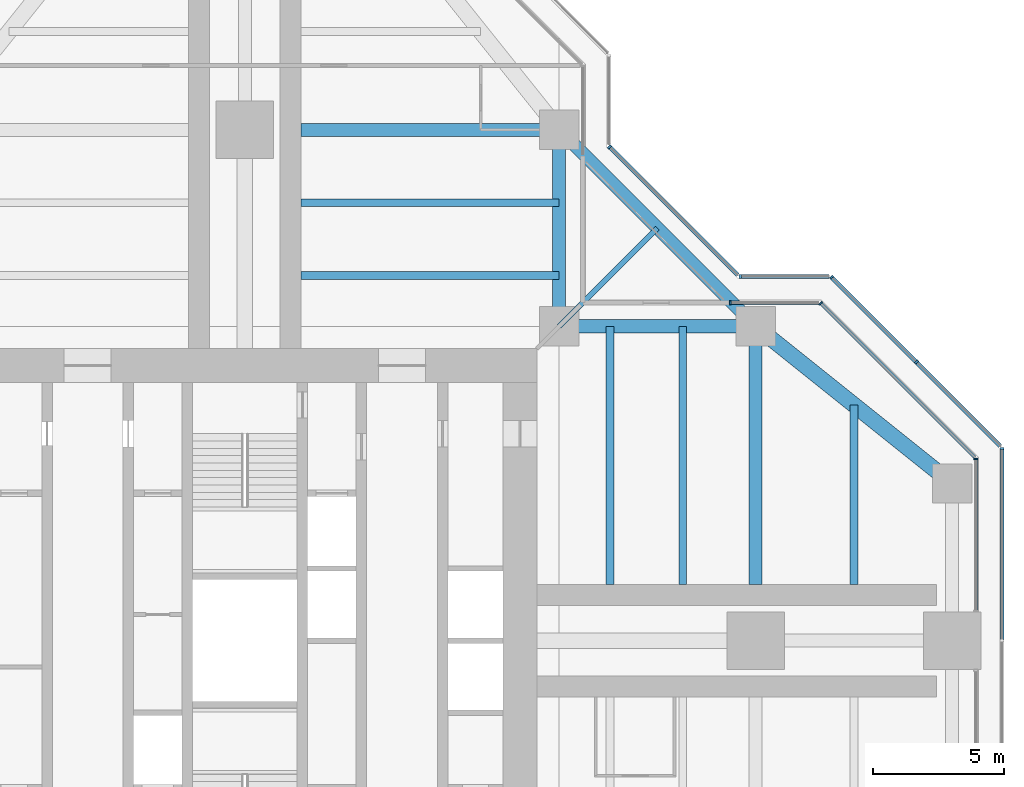
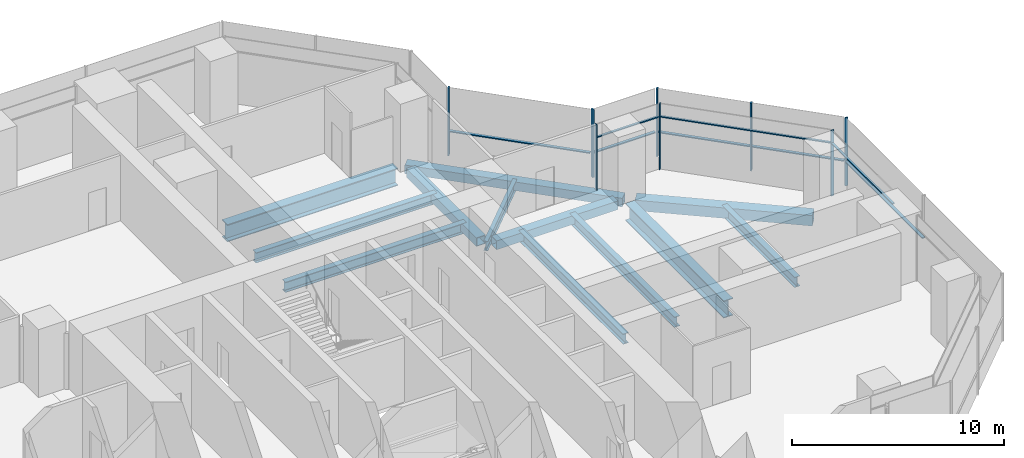
# One storey, part 8 of 17: 16 members, 12 beams, 7 elements without a shape of their own.
"""IFC4 building model written with IfcOpenShell, lengths in metres."""

from ifc_helpers import new_model, si_unit, direction, frame, origin, origin_2d, place, context, subcontext, project, spatial, rectangle, hollow_rectangle, i_section, extrude, material, material_profile, profile_set, type_object, element, aggregate, save


model = new_model("IFC4")

# Units and contexts
model_context = context("Model", 3, precision=1e-05, world=origin(), true_north=direction((0.0, 1.0)))
body_context = subcontext(model_context, "Body", "Model", "MODEL_VIEW")
ifc_project = project(units=[si_unit("LENGTHUNIT", "METRE"), si_unit("AREAUNIT", "SQUARE_METRE"), si_unit("VOLUMEUNIT", "CUBIC_METRE"), si_unit("PLANEANGLEUNIT", "RADIAN"), si_unit("MASSUNIT", "GRAM", prefix="KILO")], contexts=[model_context])

# Site, building, storey
site_placement = place(None, origin())
site = spatial("IfcSite", under=ifc_project, at=site_placement, CompositionType="ELEMENT")
building_placement = place(site_placement, origin())
building = spatial("IfcBuilding", under=site, at=building_placement, Name="Mizan Broadcast Tower", CompositionType="ELEMENT")
storey_placement = place(building_placement, frame((0.0, 0.0, 216.60009765625)))
storey = spatial("IfcBuildingStorey", under=building, at=storey_placement, Name="L50", CompositionType="ELEMENT", Elevation=216.60009765625)

# Beams
ifc_material_1 = material(Name="Steel S355", Category="steel")
ifc_material_profile_1 = material_profile(ifc_material_1, hollow_rectangle(XDim=0.5, YDim=0.5, WallThickness=0.030029296875, at=origin_2d()), Name="BOX 500x500x30")
ifc_profile_set_1 = profile_set([ifc_material_profile_1], Name="Steel S355")
beam_type_1 = type_object("IfcBeamType", Name="EDGE BEAM BOX 500x500x30", PredefinedType="SPANDREL", material=ifc_profile_set_1)
for number, where, z_axis, x_axis, name in (
    (1, (12.449951171875, 12.0, -0.380126953125), (1.0, 0.0, 0.0), (0.0, 1.0, 0.0), "Edge beam BOX 500x500x30 L50 east arm"),
    (2, (12.0, 12.449951171875, -0.380126953125), (0.0, 1.0, 0.0), (-1.0, 0.0, 0.0), "Edge beam BOX 500x500x30 L50 north arm"),
):
    element("IfcBeam", number, at=place(storey_placement, frame(where, z_axis=z_axis, x_axis=x_axis)), inside=storey, type_object=beam_type_1, Name=name, PredefinedType="SPANDREL", context=body_context, shape_type="SweptSolid", body=[
        extrude(hollow_rectangle(XDim=0.5, YDim=0.5, WallThickness=0.030029296875, at=origin_2d()), origin(), (0.0, 0.0, 1.0), 6.60009765625),
    ])
beam_1_placement = place(storey_placement, frame((19.5, 12.0, -0.380126953125), z_axis=(-0.707106781187, 0.707106781187, 0.0), x_axis=(-0.707106781187, -0.707106781187, 0.0)))
element("IfcBeam", 3, at=beam_1_placement, inside=storey, type_object=beam_type_1, Name="Winter garden edge beam L50 E", PredefinedType="SPANDREL", context=body_context, shape_type="SweptSolid", body=[
    extrude(hollow_rectangle(XDim=0.5, YDim=0.5, WallThickness=0.030029296875, at=origin_2d()), origin(), (0.0, 0.0, 1.0), 10.606689453125),
])
ifc_material_2 = material(Name="Steel S355", Category="steel")
ifc_material_profile_2 = material_profile(ifc_material_2, hollow_rectangle(XDim=0.60009765625, YDim=0.60009765625, WallThickness=0.030029296875, at=origin_2d()), Name="BOX 600x600x30")
ifc_profile_set_2 = profile_set([ifc_material_profile_2], Name="Steel S355")
beam_type_2 = type_object("IfcBeamType", Name="EDGE BEAM BOX 600x600x30", PredefinedType="SPANDREL", material=ifc_profile_set_2)
beam_2_placement = place(storey_placement, frame((19.949951171875, 11.639892578125, -0.43017578125), z_axis=(0.780885717636, -0.624673911726, 0.0), x_axis=(0.624673911726, 0.780885717636, 0.0)))
element("IfcBeam", 4, at=beam_2_placement, inside=storey, type_object=beam_type_2, Name="Edge beam BOX 600x600x30 L50 east arm", PredefinedType="SPANDREL", context=body_context, shape_type="SweptSolid", body=[
    extrude(hollow_rectangle(XDim=0.60009765625, YDim=0.60009765625, WallThickness=0.030029296875, at=origin_2d()), origin(), (0.0, 0.0, 1.0), 8.4521484375),
])
ifc_material_3 = material(Name="Steel S460", Category="steel")
ifc_material_profile_3 = material_profile(ifc_material_3, i_section(OverallWidth=0.5, OverallDepth=1.0, WebThickness=0.02490234375, FlangeThickness=0.050048828125, at=origin_2d()), Name="WPG 1000x500")
ifc_profile_set_3 = profile_set([ifc_material_profile_3], Name="Steel S460")
beam_type_3 = type_object("IfcBeamType", Name="GIRDER WPG 1000x500", PredefinedType="BEAM", material=ifc_profile_set_3)
for number, where, z_axis, x_axis, name in (
    (5, (19.5, 11.408935546875, -0.630126953125), (0.0, -1.0, 0.0), (1.0, 0.0, 0.0), "Girder WPG 1000x500 L50 east arm"),
    (6, (11.408935546875, 19.5, -0.630126953125), (-1.0, 0.0, 0.0), (0.0, -1.0, 0.0), "Girder WPG 1000x500 L50 north arm"),
):
    element("IfcBeam", number, at=place(storey_placement, frame(where, z_axis=z_axis, x_axis=x_axis)), inside=storey, type_object=beam_type_3, Name=name, PredefinedType="BEAM", context=body_context, shape_type="SweptSolid", body=[
        extrude(i_section(OverallWidth=0.5, OverallDepth=1.0, WebThickness=0.02490234375, FlangeThickness=0.050048828125, at=origin_2d()), origin(), (0.0, 0.0, 1.0), 9.259033203125),
    ])

# Curtain wall, member
ifc_material_4 = material(Name="Aluminium framed glazing", Category="aluminium")
curtain_wall_type_1 = type_object("IfcCurtainWallType", Name="INNER SKIN HIGH ZONE", PredefinedType="USERDEFINED", material=ifc_material_4)
curtain_wall_1_placement = place(storey_placement, origin())
curtain_wall_1 = element("IfcCurtainWall", 7, at=curtain_wall_1_placement, inside=storey, type_object=curtain_wall_type_1, Name="Inner skin high zone L50 E end", ObjectType="INNER SKIN HIGH ZONE", PredefinedType="USERDEFINED")
ifc_material_5 = material(Name="Aluminium, pale anodised", Category="aluminium")
ifc_material_profile_4 = material_profile(ifc_material_5, rectangle(XDim=0.159912109375, YDim=0.06005859375, at=origin_2d()), Name="MULLION 160x60")
ifc_profile_set_4 = profile_set([ifc_material_profile_4], Name="Aluminium, pale anodised")
member_type_1 = type_object("IfcMemberType", Name="INNER SKIN MULLION 60x160", PredefinedType="MULLION", material=ifc_profile_set_4)
member_1_placement = place(storey_placement, frame((27.89990234375, 6.928466796875, 0.0), z_axis=(0.0, 0.0, 1.0), x_axis=(-1.0, 0.0, 0.0)))
member_1 = element("IfcMember", 8, at=member_1_placement, type_object=member_type_1, Name="Inner skin high zone L50 E end mullion 2", PredefinedType="MULLION", context=body_context, shape_type="SweptSolid", body=[
    extrude(rectangle(XDim=0.159912109375, YDim=0.06005859375, at=origin_2d()), origin(), (0.0, 0.0, 1.0), 3.77001953125),
])

curtain_wall_2_placement = place(storey_placement, origin())
curtain_wall_2 = element("IfcCurtainWall", 9, at=curtain_wall_2_placement, inside=storey, type_object=curtain_wall_type_1, Name="Inner skin high zone L50 E chamfer", ObjectType="INNER SKIN HIGH ZONE", PredefinedType="USERDEFINED")
member_2_placement = place(storey_placement, frame((21.979736328125, 12.87890625, 0.0), z_axis=(0.0, 0.0, 1.0), x_axis=(-0.707106781187, -0.707106781187, 0.0)))
member_2 = element("IfcMember", 10, at=member_2_placement, type_object=member_type_1, Name="Inner skin high zone L50 E chamfer mullion 2", PredefinedType="MULLION", context=body_context, shape_type="SweptSolid", body=[
    extrude(rectangle(XDim=0.159912109375, YDim=0.06005859375, at=origin_2d()), origin(), (0.0, 0.0, 1.0), 3.77001953125),
])

curtain_wall_3_placement = place(storey_placement, origin())
curtain_wall_3 = element("IfcCurtainWall", 11, at=curtain_wall_3_placement, inside=storey, type_object=curtain_wall_type_1, Name="Inner skin high zone L50 E side", ObjectType="INNER SKIN HIGH ZONE", PredefinedType="USERDEFINED")
member_3_placement = place(storey_placement, frame((18.530029296875, 12.89990234375, 0.0), z_axis=(0.0, 0.0, 1.0), x_axis=(0.0, -1.0, 0.0)))
member_3 = element("IfcMember", 12, at=member_3_placement, type_object=member_type_1, Name="Inner skin high zone L50 E side mullion 2", PredefinedType="MULLION", context=body_context, shape_type="SweptSolid", body=[
    extrude(rectangle(XDim=0.159912109375, YDim=0.06005859375, at=origin_2d()), origin(), (0.0, 0.0, 1.0), 3.77001953125),
])

# Member
ifc_material_6 = material(Name="Aluminium, pale anodised", Category="aluminium")
ifc_material_profile_5 = material_profile(ifc_material_6, rectangle(XDim=0.1201171875, YDim=0.06005859375, at=origin_2d()), Name="TRANSOM 120x60")
ifc_profile_set_5 = profile_set([ifc_material_profile_5], Name="Aluminium, pale anodised")
member_type_2 = type_object("IfcMemberType", Name="INNER SKIN TRANSOM 60x120", PredefinedType="USERDEFINED", material=ifc_profile_set_5)
member_4_placement = place(storey_placement, frame((27.89990234375, 1.159912109375, 3.02978515625), z_axis=(0.0, 1.0, 0.0), x_axis=(-1.0, 0.0, 0.0)))
member_4 = element("IfcMember", 13, at=member_4_placement, type_object=member_type_2, Name="Inner skin high zone L50 E end transom 1.1", ObjectType="TRANSOM", PredefinedType="USERDEFINED", context=body_context, shape_type="SweptSolid", body=[
    extrude(rectangle(XDim=0.1201171875, YDim=0.06005859375, at=origin_2d()), origin(), (0.0, 0.0, 1.0), 5.73876953125),
])

aggregate(curtain_wall_1, [member_1, member_4])

member_5_placement = place(storey_placement, frame((27.857666015625, 7.0009765625, 3.02978515625), z_axis=(-0.707106781187, 0.707106781187, 0.0), x_axis=(-0.707106781187, -0.707106781187, 0.0)))
member_5 = element("IfcMember", 14, at=member_5_placement, type_object=member_type_2, Name="Inner skin high zone L50 E chamfer transom 1.1", ObjectType="TRANSOM", PredefinedType="USERDEFINED", context=body_context, shape_type="SweptSolid", body=[
    extrude(rectangle(XDim=0.1201171875, YDim=0.06005859375, at=origin_2d()), origin(), (0.0, 0.0, 1.0), 8.28271484375),
])

aggregate(curtain_wall_2, [member_2, member_5])

member_6_placement = place(storey_placement, frame((21.898681640625, 12.89990234375, 3.02978515625), z_axis=(-1.0, 0.0, 0.0), x_axis=(0.0, -1.0, 0.0)))
member_6 = element("IfcMember", 15, at=member_6_placement, type_object=member_type_2, Name="Inner skin high zone L50 E side transom 1.1", ObjectType="TRANSOM", PredefinedType="USERDEFINED", context=body_context, shape_type="SweptSolid", body=[
    extrude(rectangle(XDim=0.1201171875, YDim=0.06005859375, at=origin_2d()), origin(), (0.0, 0.0, 1.0), 3.338623046875),
])

aggregate(curtain_wall_3, [member_3, member_6])

# Curtain wall, member
ifc_material_7 = material(Name="Aluminium framed glazing", Category="aluminium")
curtain_wall_type_2 = type_object("IfcCurtainWallType", Name="OUTER SKIN", PredefinedType="USERDEFINED", material=ifc_material_7)
curtain_wall_4_placement = place(storey_placement, origin())
curtain_wall_4 = element("IfcCurtainWall", 16, at=curtain_wall_4_placement, inside=storey, type_object=curtain_wall_type_2, Name="Outer skin L50 E end", ObjectType="OUTER SKIN", PredefinedType="USERDEFINED")
ifc_material_8 = material(Name="Aluminium, pale anodised", Category="aluminium")
ifc_material_profile_6 = material_profile(ifc_material_8, rectangle(XDim=0.159912109375, YDim=0.080078125, at=origin_2d()), Name="MULLION 160x80")
ifc_profile_set_6 = profile_set([ifc_material_profile_6], Name="Aluminium, pale anodised")
member_type_3 = type_object("IfcMemberType", Name="OUTER SKIN MULLION 80x160", PredefinedType="MULLION", material=ifc_profile_set_6)
member_7_placement = place(storey_placement, frame((28.89990234375, 7.332763671875, 0.0), z_axis=(0.0, 0.0, 1.0), x_axis=(-1.0, 0.0, 0.0)))
member_7 = element("IfcMember", 17, at=member_7_placement, type_object=member_type_3, Name="Outer skin L50 E end mullion 3", PredefinedType="MULLION", context=body_context, shape_type="SweptSolid", body=[
    extrude(rectangle(XDim=0.159912109375, YDim=0.080078125, at=origin_2d()), origin(), (0.0, 0.0, 1.0), 3.89990234375),
])

# Curtain wall, members
curtain_wall_5_placement = place(storey_placement, origin())
curtain_wall_5 = element("IfcCurtainWall", 18, at=curtain_wall_5_placement, inside=storey, type_object=curtain_wall_type_2, Name="Outer skin L50 E chamfer", ObjectType="OUTER SKIN", PredefinedType="USERDEFINED")
member_8_placement = place(storey_placement, frame((25.636474609375, 10.636474609375, 0.0), z_axis=(0.0, 0.0, 1.0), x_axis=(-0.707106781187, -0.707106781187, 0.0)))
member_8 = element("IfcMember", 19, at=member_8_placement, type_object=member_type_3, Name="Outer skin L50 E chamfer mullion 2", PredefinedType="MULLION", context=body_context, shape_type="SweptSolid", body=[
    extrude(rectangle(XDim=0.159912109375, YDim=0.080078125, at=origin_2d()), origin(), (0.0, 0.0, 1.0), 3.89990234375),
])
member_9_placement = place(storey_placement, frame((22.401123046875, 13.871826171875, 0.0), z_axis=(0.0, 0.0, 1.0), x_axis=(-0.707106781187, -0.707106781187, 0.0)))
member_9 = element("IfcMember", 20, at=member_9_placement, type_object=member_type_3, Name="Outer skin L50 E chamfer mullion 3", PredefinedType="MULLION", context=body_context, shape_type="SweptSolid", body=[
    extrude(rectangle(XDim=0.159912109375, YDim=0.080078125, at=origin_2d()), origin(), (0.0, 0.0, 1.0), 3.89990234375),
])

# Curtain wall, member
curtain_wall_6_placement = place(storey_placement, origin())
curtain_wall_6 = element("IfcCurtainWall", 21, at=curtain_wall_6_placement, inside=storey, type_object=curtain_wall_type_2, Name="Outer skin L50 E side", ObjectType="OUTER SKIN", PredefinedType="USERDEFINED")
member_10_placement = place(storey_placement, frame((18.912841796875, 13.89990234375, 0.0), z_axis=(0.0, 0.0, 1.0), x_axis=(0.0, -1.0, 0.0)))
member_10 = element("IfcMember", 22, at=member_10_placement, type_object=member_type_3, Name="Outer skin L50 E side mullion 2", PredefinedType="MULLION", context=body_context, shape_type="SweptSolid", body=[
    extrude(rectangle(XDim=0.159912109375, YDim=0.080078125, at=origin_2d()), origin(), (0.0, 0.0, 1.0), 3.89990234375),
])

curtain_wall_7_placement = place(storey_placement, origin())
curtain_wall_7 = element("IfcCurtainWall", 23, at=curtain_wall_7_placement, inside=storey, type_object=curtain_wall_type_2, Name="Outer skin L50 E chamfer", ObjectType="OUTER SKIN", PredefinedType="USERDEFINED")
member_11_placement = place(storey_placement, frame((13.92822265625, 18.844482421875, 0.0), z_axis=(0.0, 0.0, 1.0), x_axis=(-0.707106781187, -0.707106781187, 0.0)))
member_11 = element("IfcMember", 24, at=member_11_placement, type_object=member_type_3, Name="Outer skin L50 E chamfer mullion 2", PredefinedType="MULLION", context=body_context, shape_type="SweptSolid", body=[
    extrude(rectangle(XDim=0.159912109375, YDim=0.080078125, at=origin_2d()), origin(), (0.0, 0.0, 1.0), 3.89990234375),
])

# Member
ifc_material_9 = material(Name="Aluminium, pale anodised", Category="aluminium")
ifc_material_profile_7 = material_profile(ifc_material_9, rectangle(XDim=0.159912109375, YDim=0.06005859375, at=origin_2d()), Name="TRANSOM 160x60")
ifc_profile_set_7 = profile_set([ifc_material_profile_7], Name="Aluminium, pale anodised")
member_type_4 = type_object("IfcMemberType", Name="OUTER SKIN TRANSOM 60x160", PredefinedType="USERDEFINED", material=ifc_profile_set_7)
member_12_placement = place(storey_placement, frame((28.89990234375, 0.0400390625, 1.39990234375), z_axis=(0.0, 1.0, 0.0), x_axis=(-1.0, 0.0, 0.0)))
member_12 = element("IfcMember", 25, at=member_12_placement, type_object=member_type_4, Name="Outer skin L50 E end transom 2.1", ObjectType="TRANSOM", PredefinedType="USERDEFINED", context=body_context, shape_type="SweptSolid", body=[
    extrude(rectangle(XDim=0.159912109375, YDim=0.06005859375, at=origin_2d()), origin(), (0.0, 0.0, 1.0), 7.252685546875),
])

aggregate(curtain_wall_4, [member_7, member_12])

member_13_placement = place(storey_placement, frame((28.843505859375, 7.429443359375, 1.39990234375), z_axis=(-0.707106781187, 0.707106781187, 0.0), x_axis=(-0.707106781187, -0.707106781187, 0.0)))
member_13 = element("IfcMember", 26, at=member_13_placement, type_object=member_type_4, Name="Outer skin L50 E chamfer transom 1.1", ObjectType="TRANSOM", PredefinedType="USERDEFINED", context=body_context, shape_type="SweptSolid", body=[
    extrude(rectangle(XDim=0.159912109375, YDim=0.06005859375, at=origin_2d()), origin(), (0.0, 0.0, 1.0), 4.495361328125),
])

member_14_placement = place(storey_placement, frame((25.608154296875, 10.664794921875, 1.39990234375), z_axis=(-0.707106781187, 0.707106781187, 0.0), x_axis=(-0.707106781187, -0.707106781187, 0.0)))
member_14 = element("IfcMember", 27, at=member_14_placement, type_object=member_type_4, Name="Outer skin L50 E chamfer transom 2.1", ObjectType="TRANSOM", PredefinedType="USERDEFINED", context=body_context, shape_type="SweptSolid", body=[
    extrude(rectangle(XDim=0.159912109375, YDim=0.06005859375, at=origin_2d()), origin(), (0.0, 0.0, 1.0), 4.495361328125),
])

aggregate(curtain_wall_5, [member_8, member_9, member_13, member_14])

member_15_placement = place(storey_placement, frame((22.292724609375, 13.89990234375, 1.39990234375), z_axis=(-1.0, 0.0, 0.0), x_axis=(0.0, -1.0, 0.0)))
member_15 = element("IfcMember", 28, at=member_15_placement, type_object=member_type_4, Name="Outer skin L50 E side transom 1.1", ObjectType="TRANSOM", PredefinedType="USERDEFINED", context=body_context, shape_type="SweptSolid", body=[
    extrude(rectangle(XDim=0.159912109375, YDim=0.06005859375, at=origin_2d()), origin(), (0.0, 0.0, 1.0), 3.33984375),
])

aggregate(curtain_wall_6, [member_10, member_15])

member_16_placement = place(storey_placement, frame((18.816162109375, 13.95654296875, 1.39990234375), z_axis=(-0.707106781187, 0.707106781187, 0.0), x_axis=(-0.707106781187, -0.707106781187, 0.0)))
member_16 = element("IfcMember", 29, at=member_16_placement, type_object=member_type_4, Name="Outer skin L50 E chamfer transom 1.1", ObjectType="TRANSOM", PredefinedType="USERDEFINED", context=body_context, shape_type="SweptSolid", body=[
    extrude(rectangle(XDim=0.159912109375, YDim=0.06005859375, at=origin_2d()), origin(), (0.0, 0.0, 1.0), 6.87255859375),
])

aggregate(curtain_wall_7, [member_11, member_16])

# Beams
ifc_material_10 = material(Name="Steel S355", Category="steel")
ifc_material_profile_8 = material_profile(ifc_material_10, i_section(OverallWidth=0.300048828125, OverallDepth=0.590087890625, WebThickness=0.012939453125, FlangeThickness=0.02490234375, FilletRadius=0.027099609375, at=origin_2d()), Name="HEA 600")
ifc_profile_set_8 = profile_set([ifc_material_profile_8], Name="Steel S355")
beam_type_4 = type_object("IfcBeamType", Name="SECONDARY BEAM HEA 600", PredefinedType="JOIST", material=ifc_profile_set_8)
for number, where, z_axis, x_axis, name in (
    (30, (13.933349609375, 12.0, -0.425048828125), (0.0, -1.0, 0.0), (1.0, 0.0, 0.0), "Secondary beam HEA 600 L50 east arm"),
    (31, (16.716552734375, 12.0, -0.425048828125), (0.0, -1.0, 0.0), (1.0, 0.0, 0.0), "Secondary beam HEA 600 L50 east arm"),
):
    element("IfcBeam", number, at=place(storey_placement, frame(where, z_axis=z_axis, x_axis=x_axis)), inside=storey, type_object=beam_type_4, Name=name, PredefinedType="JOIST", context=body_context, shape_type="SweptSolid", body=[
        extrude(i_section(OverallWidth=0.300048828125, OverallDepth=0.590087890625, WebThickness=0.012939453125, FlangeThickness=0.02490234375, FilletRadius=0.027099609375, at=origin_2d()), origin(), (0.0, 0.0, 1.0), 9.85009765625),
    ])
beam_3_placement = place(storey_placement, frame((23.25, 9.0, -0.425048828125), z_axis=(0.0, -1.0, 0.0), x_axis=(1.0, 0.0, 0.0)))
element("IfcBeam", 32, at=beam_3_placement, inside=storey, type_object=beam_type_4, Name="Secondary beam HEA 600 L50 east arm", PredefinedType="JOIST", context=body_context, shape_type="SweptSolid", body=[
    extrude(i_section(OverallWidth=0.300048828125, OverallDepth=0.590087890625, WebThickness=0.012939453125, FlangeThickness=0.02490234375, FilletRadius=0.027099609375, at=origin_2d()), origin(), (0.0, 0.0, 1.0), 6.85009765625),
])
for number, where, z_axis, x_axis, name in (
    (33, (12.0, 13.933349609375, -0.425048828125), (-1.0, 0.0, 0.0), (0.0, -1.0, 0.0), "Secondary beam HEA 600 L50 north arm"),
    (34, (12.0, 16.716552734375, -0.425048828125), (-1.0, 0.0, 0.0), (0.0, -1.0, 0.0), "Secondary beam HEA 600 L50 north arm"),
):
    element("IfcBeam", number, at=place(storey_placement, frame(where, z_axis=z_axis, x_axis=x_axis)), inside=storey, type_object=beam_type_4, Name=name, PredefinedType="JOIST", context=body_context, shape_type="SweptSolid", body=[
        extrude(i_section(OverallWidth=0.300048828125, OverallDepth=0.590087890625, WebThickness=0.012939453125, FlangeThickness=0.02490234375, FilletRadius=0.027099609375, at=origin_2d()), origin(), (0.0, 0.0, 1.0), 9.85009765625),
    ])
ifc_material_11 = material(Name="Steel S355", Category="steel")
ifc_material_profile_9 = material_profile(ifc_material_11, i_section(OverallWidth=0.2099609375, OverallDepth=0.550048828125, WebThickness=0.010986328125, FlangeThickness=0.01708984375, FilletRadius=0.02392578125, at=origin_2d()), Name="IPE 550")
ifc_profile_set_9 = profile_set([ifc_material_profile_9], Name="Steel S355")
beam_type_5 = type_object("IfcBeamType", Name="SECONDARY BEAM IPE 550", PredefinedType="JOIST", material=ifc_profile_set_9)
beam_4_placement = place(storey_placement, frame((12.0, 12.0, -0.405029296875), z_axis=(0.707106781187, 0.707106781187, 0.0), x_axis=(-0.707106781187, 0.707106781187, 0.0)))
element("IfcBeam", 35, at=beam_4_placement, inside=storey, type_object=beam_type_5, Name="Winter garden beam L50 E", PredefinedType="JOIST", context=body_context, shape_type="SweptSolid", body=[
    extrude(i_section(OverallWidth=0.2099609375, OverallDepth=0.550048828125, WebThickness=0.010986328125, FlangeThickness=0.01708984375, FilletRadius=0.02392578125, at=origin_2d()), origin(), (0.0, 0.0, 1.0), 5.30322265625),
])

save(model, "model.ifc")
